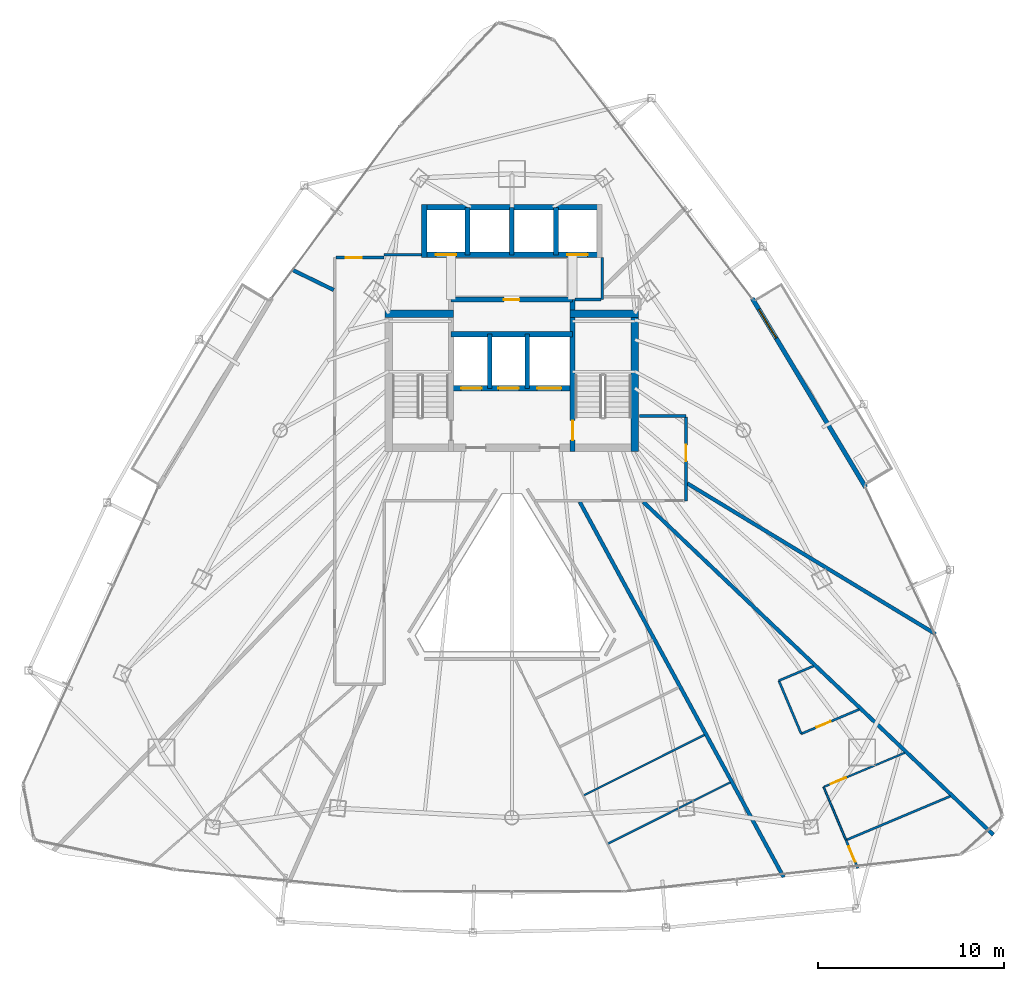
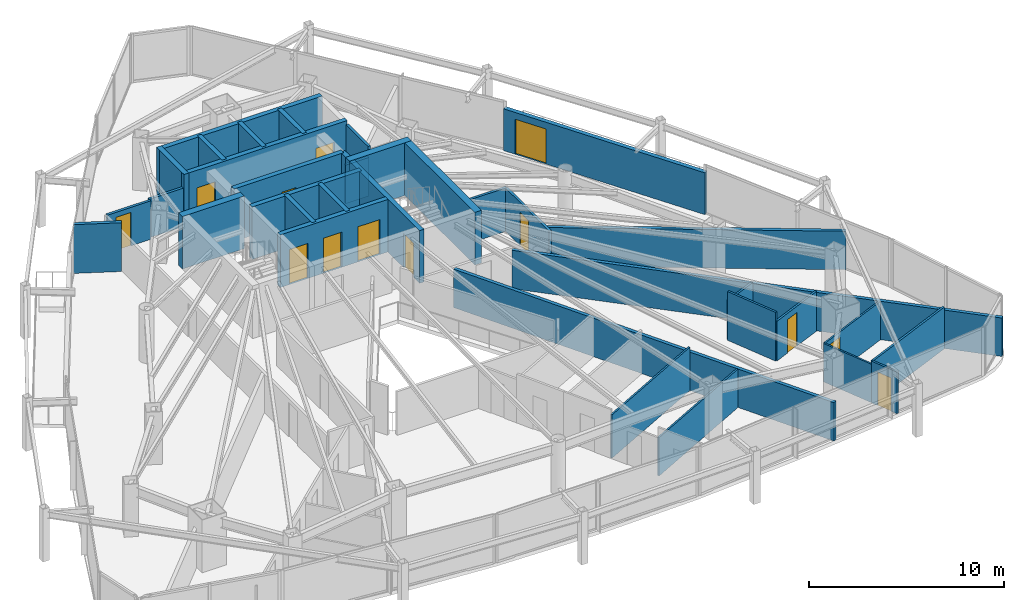
# One storey, part 27 of 31: 35 walls, 13 doors, 13 openings.
"""IFC4 building model written with IfcOpenShell, lengths in metres."""

from ifc_helpers import new_model, si_unit, direction, frame, frame_2d, origin, place, context, subcontext, project, spatial, rectangle, extrude, material, layer, layer_set, type_object, element, fill, save


model = new_model("IFC4")

# Units and contexts
model_context = context("Model", 3, precision=1e-05, world=origin(), true_north=direction((0.0, 1.0)))
body_context = subcontext(model_context, "Body", "Model", "MODEL_VIEW")
ifc_project = project(units=[si_unit("LENGTHUNIT", "METRE"), si_unit("AREAUNIT", "SQUARE_METRE"), si_unit("VOLUMEUNIT", "CUBIC_METRE"), si_unit("PLANEANGLEUNIT", "RADIAN"), si_unit("MASSUNIT", "GRAM", prefix="KILO")], contexts=[model_context])

# Site, building, storey
site_placement = place(None, origin())
site = spatial("IfcSite", under=ifc_project, at=site_placement, CompositionType="ELEMENT")
building_placement = place(site_placement, origin())
building = spatial("IfcBuilding", under=site, at=building_placement, Name="Orvanel Arch Residences", CompositionType="ELEMENT")
storey_placement = place(building_placement, frame((0.0, 0.0, 110.0)))
storey = spatial("IfcBuildingStorey", under=building, at=storey_placement, Name="L30", CompositionType="ELEMENT", Elevation=110.0)

# Wall, opening, door
ifc_material_1 = material(Name="Precast concrete N50 (50 MPa)", Category="concrete")
ifc_layer_1 = layer(ifc_material_1, 0.239990234375)
ifc_layer_set_1 = layer_set([ifc_layer_1], Name="Precast concrete N50 (50 MPa)")
wall_type_1 = type_object("IfcWallType", Name="EW-BAL-240", PredefinedType="SOLIDWALL", material=ifc_layer_set_1)
wall_1_placement = place(storey_placement, frame((51.9970703125, 24.56103515625, 0.0), z_axis=(0.0, 0.0, 1.0), x_axis=(-0.514362369366, 0.857572943242, 0.0)))
wall_1 = element("IfcWall", 1, at=wall_1_placement, inside=storey, type_object=wall_type_1, Name="L30 Balcony Threshold Wall Face 3", PredefinedType="SOLIDWALL", context=body_context, shape_type="SweptSolid", body=[
    extrude(rectangle(XDim=11.84375, YDim=0.239990234375, at=frame_2d((5.921875, 0.0))), origin(), (0.0, 0.0, 1.0), 2.6240234375),
])
opening_1_placement = place(wall_1_placement, frame((9.345947265625, 0.0, 0.0)))
opening_1 = element("IfcOpeningElement", 2, at=opening_1_placement, cuts=wall_1, Name="Opening DB-180", PredefinedType="OPENING", context=body_context, shape_type="SweptSolid", body=[
    extrude(rectangle(XDim=1.800048828125, YDim=2.199951171875, at=frame_2d((0.89990234375, 1.10009765625))), frame((0.0, 0.1298828125, 0.0), z_axis=(0.0, -1.0, 0.0), x_axis=(1.0, 0.0, 0.0)), (0.0, 0.0, 1.0), 0.260009765625),
])
ifc_material_2 = material(Name="Bronze-anodised aluminium AA6063-T6", Category="aluminium")
door_type_1 = type_object("IfcDoorType", Name="DR-BAL-1800", OperationType="NOTDEFINED", PredefinedType="DOOR", material=ifc_material_2)
door_1_placement = place(opening_1_placement, origin())
door_1 = element("IfcDoor", 3, at=door_1_placement, inside=storey, type_object=door_type_1, Name="DR-L30-BAL-F3 L30 Planted Balcony Access Door Face 3", OperationType="SINGLE_SWING_LEFT", OverallHeight=2.199951171875, OverallWidth=1.800048828125, PredefinedType="DOOR", context=body_context, shape_type="SweptSolid", body=[
    extrude(rectangle(XDim=1.800048828125, YDim=2.199951171875, at=frame_2d((0.89990234375, 1.10009765625))), frame((0.0, 0.02490234375, 0.0), z_axis=(0.0, -1.0, 0.0), x_axis=(1.0, 0.0, 0.0)), (0.0, 0.0, 1.0), 0.050048828125),
])
fill(opening_1, door_1)

# Walls
ifc_material_3 = material(Name="Concrete N50 (50 MPa)", Category="concrete")
ifc_layer_2 = layer(ifc_material_3, 0.25)
ifc_layer_set_2 = layer_set([ifc_layer_2], Name="Concrete N50 (50 MPa)")
wall_type_2 = type_object("IfcWallType", Name="SW-CORE-250", PredefinedType="SHEAR", material=ifc_layer_set_2)
for number, where, z_axis, x_axis, name in (
    (4, (31.824951171875, 29.889892578125, 0.0), (0.0, 0.0, 1.0), (0.0, 1.0, 0.0), "L30 Emergency Lift Inter-Shaft Wall F12"),
    (5, (33.824951171875, 29.889892578125, 0.0), (0.0, 0.0, 1.0), (0.0, 1.0, 0.0), "L30 Emergency Lift Inter-Shaft Wall F2G"),
):
    element("IfcWall", number, at=place(storey_placement, frame(where, z_axis=z_axis, x_axis=x_axis)), inside=storey, type_object=wall_type_2, Name=name, PredefinedType="SHEAR", context=body_context, shape_type="SweptSolid", body=[
        extrude(rectangle(XDim=2.900146484375, YDim=0.25, at=frame_2d((1.4501953125, 0.0))), origin(), (0.0, 0.0, 1.0), 3.300048828125),
    ])
for number, where, z_axis, x_axis, name in (
    (6, (30.625, 37.050048828125, 0.0), (0.0, 0.0, 1.0), (0.0, 1.0, 0.0), "L30 Passenger Lift Inter-Shaft Wall P35"),
    (7, (33.0, 37.050048828125, 0.0), (0.0, 0.0, 1.0), (0.0, 1.0, 0.0), "L30 Passenger Lift Inter-Shaft Wall P56"),
    (8, (35.375, 37.050048828125, 0.0), (0.0, 0.0, 1.0), (0.0, 1.0, 0.0), "L30 Passenger Lift Inter-Shaft Wall P64"),
):
    element("IfcWall", number, at=place(storey_placement, frame(where, z_axis=z_axis, x_axis=x_axis)), inside=storey, type_object=wall_type_2, Name=name, PredefinedType="SHEAR", context=body_context, shape_type="SweptSolid", body=[
        extrude(rectangle(XDim=2.550048828125, YDim=0.25, at=frame_2d((1.27490234375, 0.0))), origin(), (0.0, 0.0, 1.0), 3.300048828125),
    ])

# Wall, opening, door
ifc_material_4 = material(Name="Concrete S65 (65 MPa)", Category="concrete")
ifc_layer_3 = layer(ifc_material_4, 0.280029296875)
ifc_layer_set_3 = layer_set([ifc_layer_3], Name="Concrete S65 (65 MPa)")
wall_type_3 = type_object("IfcWallType", Name="SW-CORE-280", PredefinedType="SHEAR", material=ifc_layer_set_3)
wall_2_placement = place(storey_placement, frame((36.260009765625, 26.5, 0.0), z_axis=(0.0, 0.0, 1.0), x_axis=(0.0, 1.0, 0.0)))
wall_2 = element("IfcWall", 9, at=wall_2_placement, inside=storey, type_object=wall_type_3, Name="L30 East Inner Core Spine Shear Wall", PredefinedType="SHEAR", context=body_context, shape_type="SweptSolid", body=[
    extrude(rectangle(XDim=8.14990234375, YDim=0.280029296875, at=frame_2d((4.074951171875, 0.0))), origin(), (0.0, 0.0, 1.0), 3.300048828125),
])
opening_2_placement = place(wall_2_placement, frame((0.60009765625, 0.0, 0.0)))
opening_2 = element("IfcOpeningElement", 10, at=opening_2_placement, cuts=wall_2, Name="Opening DF-120", PredefinedType="OPENING", context=body_context, shape_type="SweptSolid", body=[
    extrude(rectangle(XDim=1.050048828125, YDim=2.14990234375, at=frame_2d((0.52490234375, 1.074951171875))), frame((0.0, 0.14990234375, 0.0), z_axis=(0.0, -1.0, 0.0), x_axis=(1.0, 0.0, 0.0)), (0.0, 0.0, 1.0), 0.300048828125),
])
ifc_material_5 = material(Name="Galvanised steel fire-resisting door assembly", Category="steel")
door_type_2 = type_object("IfcDoorType", Name="DR-FD120-1050", OperationType="NOTDEFINED", PredefinedType="DOOR", material=ifc_material_5)
door_2_placement = place(opening_2_placement, origin())
door_2 = element("IfcDoor", 11, at=door_2_placement, inside=storey, type_object=door_type_2, Name="DR-L30-ST2 L30 Stair 2 Fire Door", OperationType="SINGLE_SWING_RIGHT", OverallHeight=2.14990234375, OverallWidth=1.050048828125, PredefinedType="DOOR", context=body_context, shape_type="SweptSolid", body=[
    extrude(rectangle(XDim=1.050048828125, YDim=2.14990234375, at=frame_2d((0.52490234375, 1.074951171875))), frame((0.0, 0.02490234375, 0.0), z_axis=(0.0, -1.0, 0.0), x_axis=(1.0, 0.0, 0.0)), (0.0, 0.0, 1.0), 0.050048828125),
])
fill(opening_2, door_2)

# Wall, openings, doors
wall_3_placement = place(storey_placement, frame((36.260009765625, 29.889892578125, 0.0), z_axis=(0.0, 0.0, 1.0), x_axis=(-1.0, 0.0, 0.0)))
wall_3 = element("IfcWall", 12, at=wall_3_placement, inside=storey, type_object=wall_type_3, Name="L30 Emergency Lift Front Core Shear Wall", PredefinedType="SHEAR", context=body_context, shape_type="SweptSolid", body=[
    extrude(rectangle(XDim=6.52001953125, YDim=0.280029296875, at=frame_2d((3.260009765625, 0.0))), origin(), (0.0, 0.0, 1.0), 3.300048828125),
])
opening_3_placement = place(wall_3_placement, frame((4.875, 0.0, 0.0)))
opening_3 = element("IfcOpeningElement", 13, at=opening_3_placement, cuts=wall_3, Name="Opening LD-110", PredefinedType="OPENING", context=body_context, shape_type="SweptSolid", body=[
    extrude(rectangle(XDim=1.10009765625, YDim=2.199951171875, at=frame_2d((0.550048828125, 1.10009765625))), frame((0.0, 0.14990234375, 0.0), z_axis=(0.0, -1.0, 0.0), x_axis=(1.0, 0.0, 0.0)), (0.0, 0.0, 1.0), 0.300048828125),
])
opening_4_placement = place(wall_3_placement, frame((2.875, 0.0, 0.0)))
opening_4 = element("IfcOpeningElement", 14, at=opening_4_placement, cuts=wall_3, Name="Opening LD-110", PredefinedType="OPENING", context=body_context, shape_type="SweptSolid", body=[
    extrude(rectangle(XDim=1.10009765625, YDim=2.199951171875, at=frame_2d((0.550048828125, 1.10009765625))), frame((0.0, 0.14990234375, 0.0), z_axis=(0.0, -1.0, 0.0), x_axis=(1.0, 0.0, 0.0)), (0.0, 0.0, 1.0), 0.300048828125),
])
opening_5_placement = place(wall_3_placement, frame((0.60009765625, 0.0, 0.0)))
opening_5 = element("IfcOpeningElement", 15, at=opening_5_placement, cuts=wall_3, Name="Opening LD-130", PredefinedType="OPENING", context=body_context, shape_type="SweptSolid", body=[
    extrude(rectangle(XDim=1.300048828125, YDim=2.199951171875, at=frame_2d((0.64990234375, 1.10009765625))), frame((0.0, 0.14990234375, 0.0), z_axis=(0.0, -1.0, 0.0), x_axis=(1.0, 0.0, 0.0)), (0.0, 0.0, 1.0), 0.300048828125),
])
door_type_3 = type_object("IfcDoorType", Name="DR-LFT-1100", OperationType="NOTDEFINED", PredefinedType="DOOR", material=ifc_material_5)
door_3_placement = place(opening_3_placement, origin())
door_3 = element("IfcDoor", 16, at=door_3_placement, inside=storey, type_object=door_type_3, Name="LD-F1-L30 L30 Lift F1 Sliding Landing Door", OperationType="DOUBLE_DOOR_SLIDING", OverallHeight=2.199951171875, OverallWidth=1.10009765625, PredefinedType="DOOR", context=body_context, shape_type="SweptSolid", body=[
    extrude(rectangle(XDim=1.10009765625, YDim=2.199951171875, at=frame_2d((0.550048828125, 1.10009765625))), frame((0.0, 0.02490234375, 0.0), z_axis=(0.0, -1.0, 0.0), x_axis=(1.0, 0.0, 0.0)), (0.0, 0.0, 1.0), 0.050048828125),
])
fill(opening_3, door_3)
door_4_placement = place(opening_4_placement, origin())
door_4 = element("IfcDoor", 17, at=door_4_placement, inside=storey, type_object=door_type_3, Name="LD-F2-L30 L30 Lift F2 Sliding Landing Door", OperationType="DOUBLE_DOOR_SLIDING", OverallHeight=2.199951171875, OverallWidth=1.10009765625, PredefinedType="DOOR", context=body_context, shape_type="SweptSolid", body=[
    extrude(rectangle(XDim=1.10009765625, YDim=2.199951171875, at=frame_2d((0.550048828125, 1.10009765625))), frame((0.0, 0.02490234375, 0.0), z_axis=(0.0, -1.0, 0.0), x_axis=(1.0, 0.0, 0.0)), (0.0, 0.0, 1.0), 0.050048828125),
])
fill(opening_4, door_4)
door_type_4 = type_object("IfcDoorType", Name="DR-LFT-1300", OperationType="NOTDEFINED", PredefinedType="DOOR", material=ifc_material_5)
door_5_placement = place(opening_5_placement, origin())
door_5 = element("IfcDoor", 18, at=door_5_placement, inside=storey, type_object=door_type_4, Name="LD-G1-L30 L30 Lift G1 Sliding Landing Door", OperationType="DOUBLE_DOOR_SLIDING", OverallHeight=2.199951171875, OverallWidth=1.300048828125, PredefinedType="DOOR", context=body_context, shape_type="SweptSolid", body=[
    extrude(rectangle(XDim=1.300048828125, YDim=2.199951171875, at=frame_2d((0.64990234375, 1.10009765625))), frame((0.0, 0.02490234375, 0.0), z_axis=(0.0, -1.0, 0.0), x_axis=(1.0, 0.0, 0.0)), (0.0, 0.0, 1.0), 0.050048828125),
])
fill(opening_5, door_5)

# Wall
wall_4_placement = place(storey_placement, frame((29.739990234375, 32.7900390625, 0.0), z_axis=(0.0, 0.0, 1.0), x_axis=(1.0, 0.0, 0.0)))
element("IfcWall", 19, at=wall_4_placement, inside=storey, type_object=wall_type_3, Name="L30 Emergency Lift Back Core Shear Wall", PredefinedType="SHEAR", context=body_context, shape_type="SweptSolid", body=[
    extrude(rectangle(XDim=6.52001953125, YDim=0.280029296875, at=frame_2d((3.260009765625, 0.0))), origin(), (0.0, 0.0, 1.0), 3.300048828125),
])

# Wall, opening, door
wall_5_placement = place(storey_placement, frame((29.739990234375, 34.64990234375, 0.0), z_axis=(0.0, 0.0, 1.0), x_axis=(1.0, 0.0, 0.0)))
wall_5 = element("IfcWall", 20, at=wall_5_placement, inside=storey, type_object=wall_type_3, Name="L30 Core Service Band North Shear Wall", PredefinedType="SHEAR", context=body_context, shape_type="SweptSolid", body=[
    extrude(rectangle(XDim=6.52001953125, YDim=0.280029296875, at=frame_2d((3.260009765625, 0.0))), origin(), (0.0, 0.0, 1.0), 3.300048828125),
])
opening_6_placement = place(wall_5_placement, frame((2.840087890625, 0.0, 0.0)))
opening_6 = element("IfcOpeningElement", 21, at=opening_6_placement, cuts=wall_5, Name="Opening DS-082", PredefinedType="OPENING", context=body_context, shape_type="SweptSolid", body=[
    extrude(rectangle(XDim=0.820068359375, YDim=2.10009765625, at=frame_2d((0.41015625, 1.050048828125))), frame((0.0, 0.14990234375, 0.0), z_axis=(0.0, -1.0, 0.0), x_axis=(1.0, 0.0, 0.0)), (0.0, 0.0, 1.0), 0.300048828125),
])
door_type_5 = type_object("IfcDoorType", Name="DR-SVC-820", OperationType="NOTDEFINED", PredefinedType="DOOR", material=ifc_material_5)
door_6_placement = place(opening_6_placement, origin())
door_6 = element("IfcDoor", 22, at=door_6_placement, inside=storey, type_object=door_type_5, Name="DR-L30-CSVC-1 L30 Housekeeping Linen Store Door", OperationType="SINGLE_SWING_LEFT", OverallHeight=2.10009765625, OverallWidth=0.820068359375, PredefinedType="DOOR", context=body_context, shape_type="SweptSolid", body=[
    extrude(rectangle(XDim=0.820068359375, YDim=2.10009765625, at=frame_2d((0.41015625, 1.050048828125))), frame((0.0, 0.02490234375, 0.0), z_axis=(0.0, -1.0, 0.0), x_axis=(1.0, 0.0, 0.0)), (0.0, 0.0, 1.0), 0.050048828125),
])
fill(opening_6, door_6)

# Wall, openings, doors
wall_6_placement = place(storey_placement, frame((37.840087890625, 37.050048828125, 0.0), z_axis=(0.0, 0.0, 1.0), x_axis=(-1.0, 0.0, 0.0)))
wall_6 = element("IfcWall", 23, at=wall_6_placement, inside=storey, type_object=wall_type_3, Name="L30 Passenger Lift Bank Front Shear Wall", PredefinedType="SHEAR", context=body_context, shape_type="SweptSolid", body=[
    extrude(rectangle(XDim=9.68017578125, YDim=0.280029296875, at=frame_2d((4.840087890625, 0.0))), origin(), (0.0, 0.0, 1.0), 3.300048828125),
])
opening_7_placement = place(wall_6_placement, frame((7.81494140625, 0.0, 0.0)))
opening_7 = element("IfcOpeningElement", 24, at=opening_7_placement, cuts=wall_6, Name="Opening LD-110", PredefinedType="OPENING", context=body_context, shape_type="SweptSolid", body=[
    extrude(rectangle(XDim=1.10009765625, YDim=2.199951171875, at=frame_2d((0.550048828125, 1.10009765625))), frame((0.0, 0.14990234375, 0.0), z_axis=(0.0, -1.0, 0.0), x_axis=(1.0, 0.0, 0.0)), (0.0, 0.0, 1.0), 0.300048828125),
])
opening_8_placement = place(wall_6_placement, frame((0.764892578125, 0.0, 0.0)))
opening_8 = element("IfcOpeningElement", 25, at=opening_8_placement, cuts=wall_6, Name="Opening LD-110", PredefinedType="OPENING", context=body_context, shape_type="SweptSolid", body=[
    extrude(rectangle(XDim=1.10009765625, YDim=2.199951171875, at=frame_2d((0.550048828125, 1.10009765625))), frame((0.0, 0.14990234375, 0.0), z_axis=(0.0, -1.0, 0.0), x_axis=(1.0, 0.0, 0.0)), (0.0, 0.0, 1.0), 0.300048828125),
])
door_7_placement = place(opening_7_placement, origin())
door_7 = element("IfcDoor", 26, at=door_7_placement, inside=storey, type_object=door_type_3, Name="LD-P3-L30 L30 Passenger Lift P3 Sliding Landing Door", OperationType="DOUBLE_DOOR_SLIDING", OverallHeight=2.199951171875, OverallWidth=1.10009765625, PredefinedType="DOOR", context=body_context, shape_type="SweptSolid", body=[
    extrude(rectangle(XDim=1.10009765625, YDim=2.199951171875, at=frame_2d((0.550048828125, 1.10009765625))), frame((0.0, 0.02490234375, 0.0), z_axis=(0.0, -1.0, 0.0), x_axis=(1.0, 0.0, 0.0)), (0.0, 0.0, 1.0), 0.050048828125),
])
fill(opening_7, door_7)
door_8_placement = place(opening_8_placement, origin())
door_8 = element("IfcDoor", 27, at=door_8_placement, inside=storey, type_object=door_type_3, Name="LD-P4-L30 L30 Passenger Lift P4 Sliding Landing Door", OperationType="DOUBLE_DOOR_SLIDING", OverallHeight=2.199951171875, OverallWidth=1.10009765625, PredefinedType="DOOR", context=body_context, shape_type="SweptSolid", body=[
    extrude(rectangle(XDim=1.10009765625, YDim=2.199951171875, at=frame_2d((0.550048828125, 1.10009765625))), frame((0.0, 0.02490234375, 0.0), z_axis=(0.0, -1.0, 0.0), x_axis=(1.0, 0.0, 0.0)), (0.0, 0.0, 1.0), 0.050048828125),
])
fill(opening_8, door_8)

# Walls
wall_7_placement = place(storey_placement, frame((28.159912109375, 39.60009765625, 0.0), z_axis=(0.0, 0.0, 1.0), x_axis=(1.0, 0.0, 0.0)))
element("IfcWall", 28, at=wall_7_placement, inside=storey, type_object=wall_type_3, Name="L30 Passenger Lift Bank North Shear Wall", PredefinedType="SHEAR", context=body_context, shape_type="SweptSolid", body=[
    extrude(rectangle(XDim=9.68017578125, YDim=0.280029296875, at=frame_2d((4.840087890625, 0.0))), origin(), (0.0, 0.0, 1.0), 3.300048828125),
])
wall_8_placement = place(storey_placement, frame((28.300048828125, 36.909912109375, 0.0), z_axis=(0.0, 0.0, 1.0), x_axis=(0.0, 1.0, 0.0)))
element("IfcWall", 29, at=wall_8_placement, inside=storey, type_object=wall_type_3, Name="L30 Passenger Lift Bank West Shear Wall", PredefinedType="SHEAR", context=body_context, shape_type="SweptSolid", body=[
    extrude(rectangle(XDim=2.830078125, YDim=0.280029296875, at=frame_2d((1.4150390625, 0.0))), origin(), (0.0, 0.0, 1.0), 3.300048828125),
])
ifc_layer_4 = layer(ifc_material_4, 0.39990234375)
ifc_layer_set_4 = layer_set([ifc_layer_4], Name="Concrete S65 (65 MPa)")
wall_type_4 = type_object("IfcWallType", Name="SW-CORE-400", PredefinedType="SHEAR", material=ifc_layer_set_4)
wall_9_placement = place(storey_placement, frame((26.199951171875, 33.89990234375, 0.0), z_axis=(0.0, 0.0, 1.0), x_axis=(1.0, 0.0, 0.0)))
element("IfcWall", 30, at=wall_9_placement, inside=storey, type_object=wall_type_4, Name="L30 West Stair North Shear Wall", PredefinedType="SHEAR", context=body_context, shape_type="SweptSolid", body=[
    extrude(rectangle(XDim=3.679931640625, YDim=0.39990234375, at=frame_2d((1.83984375, 0.0))), origin(), (0.0, 0.0, 1.0), 3.300048828125),
])
wall_10_placement = place(storey_placement, frame((39.60009765625, 26.5, 0.0), z_axis=(0.0, 0.0, 1.0), x_axis=(0.0, 1.0, 0.0)))
element("IfcWall", 31, at=wall_10_placement, inside=storey, type_object=wall_type_4, Name="L30 East Stair Shear Wall", PredefinedType="SHEAR", context=body_context, shape_type="SweptSolid", body=[
    extrude(rectangle(XDim=7.60009765625, YDim=0.39990234375, at=frame_2d((3.800048828125, 0.0))), origin(), (0.0, 0.0, 1.0), 3.300048828125),
])
wall_11_placement = place(storey_placement, frame((36.1201171875, 33.89990234375, 0.0), z_axis=(0.0, 0.0, 1.0), x_axis=(1.0, 0.0, 0.0)))
element("IfcWall", 32, at=wall_11_placement, inside=storey, type_object=wall_type_4, Name="L30 East Stair North Shear Wall", PredefinedType="SHEAR", context=body_context, shape_type="SweptSolid", body=[
    extrude(rectangle(XDim=3.679931640625, YDim=0.39990234375, at=frame_2d((1.83984375, 0.0))), origin(), (0.0, 0.0, 1.0), 3.300048828125),
])
ifc_material_6 = material(Name="Fire-rated plasterboard lined steel stud partition", Category="steel")
ifc_layer_5 = layer(ifc_material_6, 0.14990234375)
ifc_layer_set_5 = layer_set([ifc_layer_5], Name="Fire-rated plasterboard lined steel stud partition")
wall_type_5 = type_object("IfcWallType", Name="W-COR-150", PredefinedType="PARTITIONING", material=ifc_layer_set_5)
wall_12_placement = place(storey_placement, frame((37.85009765625, 34.64990234375, 0.0), z_axis=(0.0, 0.0, 1.0), x_axis=(0.0, 1.0, 0.0)))
element("IfcWall", 33, at=wall_12_placement, inside=storey, type_object=wall_type_5, Name="L30 Passenger Lift Lobby East Closure Wall", PredefinedType="PARTITIONING", context=body_context, shape_type="SweptSolid", body=[
    extrude(rectangle(XDim=2.260009765625, YDim=0.14990234375, at=frame_2d((1.1298828125, 0.0))), origin(), (0.0, 0.0, 1.0), 3.06005859375),
])
wall_13_placement = place(storey_placement, frame((36.385009765625, 34.64990234375, 0.0), z_axis=(0.0, 0.0, 1.0), x_axis=(1.0, 0.0, 0.0)))
element("IfcWall", 34, at=wall_13_placement, inside=storey, type_object=wall_type_5, Name="L30 Passenger Lift Lobby South-East Wall", PredefinedType="PARTITIONING", context=body_context, shape_type="SweptSolid", body=[
    extrude(rectangle(XDim=1.405029296875, YDim=0.14990234375, at=frame_2d((0.70263671875, 0.0))), origin(), (0.0, 0.0, 1.0), 2.425048828125),
])

# Wall, opening, door
wall_14_placement = place(storey_placement, frame((23.56005859375, 36.89990234375, 0.0), z_axis=(0.0, 0.0, 1.0), x_axis=(1.0, 0.0, 0.0)))
wall_14 = element("IfcWall", 35, at=wall_14_placement, inside=storey, type_object=wall_type_5, Name="L30 Corridor Fire-Rated Partition", PredefinedType="PARTITIONING", context=body_context, shape_type="SweptSolid", body=[
    extrude(rectangle(XDim=2.58984375, YDim=0.14990234375, at=frame_2d((1.294921875, 0.0))), origin(), (0.0, 0.0, 1.0), 2.4130859375),
])
opening_9_placement = place(wall_14_placement, frame((0.514892578125, 0.0, 0.0)))
opening_9 = element("IfcOpeningElement", 36, at=opening_9_placement, cuts=wall_14, Name="Opening DI-088", PredefinedType="OPENING", context=body_context, shape_type="SweptSolid", body=[
    extrude(rectangle(XDim=0.8798828125, YDim=2.10009765625, at=frame_2d((0.43994140625, 1.050048828125))), frame((0.0, 0.0849609375, 0.0), z_axis=(0.0, -1.0, 0.0), x_axis=(1.0, 0.0, 0.0)), (0.0, 0.0, 1.0), 0.169921875),
])
ifc_material_7 = material(Name="Solid-core European oak veneer fire door leaf", Category="wood")
door_type_6 = type_object("IfcDoorType", Name="DR-INT-880", OperationType="NOTDEFINED", PredefinedType="DOOR", material=ifc_material_7)
door_9_placement = place(opening_9_placement, origin())
door_9 = element("IfcDoor", 37, at=door_9_placement, inside=storey, type_object=door_type_6, Name="DR-L30-SHRD-FB6 L30 Co-Working Study Office F Door", OperationType="SINGLE_SWING_LEFT", OverallHeight=2.10009765625, OverallWidth=0.8798828125, PredefinedType="DOOR", context=body_context, shape_type="SweptSolid", body=[
    extrude(rectangle(XDim=0.8798828125, YDim=2.10009765625, at=frame_2d((0.43994140625, 1.050048828125))), frame((0.0, 0.02490234375, 0.0), z_axis=(0.0, -1.0, 0.0), x_axis=(1.0, 0.0, 0.0)), (0.0, 0.0, 1.0), 0.050048828125),
])
fill(opening_9, door_9)

# Wall
wall_15_placement = place(storey_placement, frame((39.85009765625, 28.39990234375, 0.0), z_axis=(0.0, 0.0, 1.0), x_axis=(1.0, 0.0, 0.0)))
element("IfcWall", 38, at=wall_15_placement, inside=storey, type_object=wall_type_5, Name="L30 Corridor Fire-Rated Partition", PredefinedType="PARTITIONING", context=body_context, shape_type="SweptSolid", body=[
    extrude(rectangle(XDim=2.5, YDim=0.14990234375, at=frame_2d((1.25, 0.0))), origin(), (0.0, 0.0, 1.0), 2.720947265625),
])

# Wall, opening, door
wall_16_placement = place(storey_placement, frame((42.35009765625, 28.340087890625, 0.0), z_axis=(0.0, 0.0, 1.0), x_axis=(0.0, -1.0, 0.0)))
wall_16 = element("IfcWall", 39, at=wall_16_placement, inside=storey, type_object=wall_type_5, Name="L30 Corridor Fire-Rated Partition", PredefinedType="PARTITIONING", context=body_context, shape_type="SweptSolid", body=[
    extrude(rectangle(XDim=4.489990234375, YDim=0.14990234375, at=frame_2d((2.2451171875, 0.0))), origin(), (0.0, 0.0, 1.0), 2.720947265625),
])
opening_10_placement = place(wall_16_placement, frame((1.486083984375, 0.0, 0.0)))
opening_10 = element("IfcOpeningElement", 40, at=opening_10_placement, cuts=wall_16, Name="Opening DI-088", PredefinedType="OPENING", context=body_context, shape_type="SweptSolid", body=[
    extrude(rectangle(XDim=0.8798828125, YDim=2.10009765625, at=frame_2d((0.43994140625, 1.050048828125))), frame((0.0, 0.0849609375, 0.0), z_axis=(0.0, -1.0, 0.0), x_axis=(1.0, 0.0, 0.0)), (0.0, 0.0, 1.0), 0.169921875),
])
door_10_placement = place(opening_10_placement, origin())
door_10 = element("IfcDoor", 41, at=door_10_placement, inside=storey, type_object=door_type_6, Name="DR-L30-SHRD-FB4 L30 Co-Working Study Office D Door", OperationType="SINGLE_SWING_LEFT", OverallHeight=2.10009765625, OverallWidth=0.8798828125, PredefinedType="DOOR", context=body_context, shape_type="SweptSolid", body=[
    extrude(rectangle(XDim=0.8798828125, YDim=2.10009765625, at=frame_2d((0.43994140625, 1.050048828125))), frame((0.0, 0.02490234375, 0.0), z_axis=(0.0, -1.0, 0.0), x_axis=(1.0, 0.0, 0.0)), (0.0, 0.0, 1.0), 0.050048828125),
])
fill(opening_10, door_10)

# Walls
wall_17_placement = place(storey_placement, frame((26.14990234375, 37.050048828125, 0.0), z_axis=(0.0, 0.0, 1.0), x_axis=(1.0, 0.0, 0.0)))
element("IfcWall", 42, at=wall_17_placement, inside=storey, type_object=wall_type_5, Name="L30 Core Perimeter Partition", PredefinedType="PARTITIONING", context=body_context, shape_type="SweptSolid", body=[
    extrude(rectangle(XDim=2.0, YDim=0.14990234375, at=frame_2d((1.0, 0.0))), origin(), (0.0, 0.0, 1.0), 2.4130859375),
])
ifc_layer_6 = layer(ifc_material_6, 0.199951171875)
ifc_layer_set_6 = layer_set([ifc_layer_6], Name="Fire-rated plasterboard lined steel stud partition")
wall_type_6 = type_object("IfcWallType", Name="W-DEM-200", PredefinedType="PARTITIONING", material=ifc_layer_set_6)
wall_18_placement = place(storey_placement, frame((36.64599609375, 23.7900390625, 0.0), z_axis=(0.0, 0.0, 1.0), x_axis=(0.477391569207, -0.878690667784, 0.0)))
element("IfcWall", 43, at=wall_18_placement, inside=storey, type_object=wall_type_6, Name="L30 Inter-Tenancy Acoustic Demising Wall", PredefinedType="PARTITIONING", context=body_context, shape_type="SweptSolid", body=[
    extrude(rectangle(XDim=22.918212890625, YDim=0.199951171875, at=frame_2d((11.458984375, 0.0))), origin(), (0.0, 0.0, 1.0), 2.4130859375),
])
wall_19_placement = place(storey_placement, frame((21.215087890625, 36.248046875, 0.0), z_axis=(0.0, 0.0, 1.0), x_axis=(0.898821522371, -0.438314808012, 0.0)))
element("IfcWall", 44, at=wall_19_placement, inside=storey, type_object=wall_type_6, Name="L30 Inter-Tenancy Acoustic Demising Wall", PredefinedType="PARTITIONING", context=body_context, shape_type="SweptSolid", body=[
    extrude(rectangle(XDim=2.475341796875, YDim=0.199951171875, at=frame_2d((1.23779296875, 0.0))), origin(), (0.0, 0.0, 1.0), 3.06005859375),
])
wall_20_placement = place(storey_placement, frame((40.055908203125, 23.7900390625, 0.0), z_axis=(0.0, 0.0, 1.0), x_axis=(0.724633427165, -0.68913452695, 0.0)))
element("IfcWall", 45, at=wall_20_placement, inside=storey, type_object=wall_type_6, Name="L30 Inter-Tenancy Acoustic Demising Wall", PredefinedType="PARTITIONING", context=body_context, shape_type="SweptSolid", body=[
    extrude(rectangle(XDim=25.9208984375, YDim=0.199951171875, at=frame_2d((12.96044921875, 0.0))), origin(), (0.0, 0.0, 1.0), 2.4130859375),
])
wall_21_placement = place(storey_placement, frame((55.7529296875, 16.69189453125, 0.0), z_axis=(0.0, 0.0, 1.0), x_axis=(-0.85489976131, 0.518793213248, 0.0)))
element("IfcWall", 46, at=wall_21_placement, inside=storey, type_object=wall_type_6, Name="L30 Inter-Tenancy Acoustic Demising Wall", PredefinedType="PARTITIONING", context=body_context, shape_type="SweptSolid", body=[
    extrude(rectangle(XDim=15.607666015625, YDim=0.199951171875, at=frame_2d((7.8037109375, 0.0))), origin(), (0.0, 0.0, 1.0), 2.4130859375),
])
ifc_material_8 = material(Name="Acoustic plasterboard lined twin-stud partition", Category="gypsum")
ifc_layer_7 = layer(ifc_material_8, 0.10009765625)
ifc_layer_set_7 = layer_set([ifc_layer_7], Name="Acoustic plasterboard lined twin-stud partition")
wall_type_7 = type_object("IfcWallType", Name="W-INT-100", PredefinedType="PARTITIONING", material=ifc_layer_set_7)
wall_22_placement = place(storey_placement, frame((38.134033203125, 5.43701171875, 0.0), z_axis=(0.0, 0.0, 1.0), x_axis=(0.894182030014, 0.447703581849, 0.0)))
element("IfcWall", 47, at=wall_22_placement, inside=storey, type_object=wall_type_7, Name="L30 Studio A Internal Partition", PredefinedType="PARTITIONING", context=body_context, shape_type="SweptSolid", body=[
    extrude(rectangle(XDim=7.373291015625, YDim=0.10009765625, at=frame_2d((3.6865234375, 0.0))), origin(), (0.0, 0.0, 1.0), 2.4130859375),
])
wall_23_placement = place(storey_placement, frame((36.8359375, 8.030029296875, 0.0), z_axis=(0.0, 0.0, 1.0), x_axis=(0.894205618721, 0.447656465884, 0.0)))
element("IfcWall", 48, at=wall_23_placement, inside=storey, type_object=wall_type_7, Name="L30 Studio A Internal Partition", PredefinedType="PARTITIONING", context=body_context, shape_type="SweptSolid", body=[
    extrude(rectangle(XDim=7.27587890625, YDim=0.10009765625, at=frame_2d((3.637939453125, 0.0))), origin(), (0.0, 0.0, 1.0), 2.720947265625),
])

# Wall, opening, door
wall_24_placement = place(storey_placement, frame((54.090087890625, 10.325927734375, 0.0), z_axis=(0.0, 0.0, 1.0), x_axis=(-0.921538100995, -0.388287945234, 0.0)))
wall_24 = element("IfcWall", 49, at=wall_24_placement, inside=storey, type_object=wall_type_7, Name="L30 Studio C Internal Partition", PredefinedType="PARTITIONING", context=body_context, shape_type="SweptSolid", body=[
    extrude(rectangle(XDim=4.725830078125, YDim=0.10009765625, at=frame_2d((2.36279296875, 0.0))), origin(), (0.0, 0.0, 1.0), 2.4130859375),
])
opening_11_placement = place(wall_24_placement, frame((3.428955078125, 0.0, 0.0)))
opening_11 = element("IfcOpeningElement", 50, at=opening_11_placement, cuts=wall_24, Name="Opening DI-088", PredefinedType="OPENING", context=body_context, shape_type="SweptSolid", body=[
    extrude(rectangle(XDim=0.8798828125, YDim=2.10009765625, at=frame_2d((0.43994140625, 1.050048828125))), frame((0.0, 0.06005859375, 0.0), z_axis=(0.0, -1.0, 0.0), x_axis=(1.0, 0.0, 0.0)), (0.0, 0.0, 1.0), 0.1201171875),
])
door_11_placement = place(opening_11_placement, origin())
door_11 = element("IfcDoor", 51, at=door_11_placement, inside=storey, type_object=door_type_6, Name="DR-L30-C-DIN1 L30 Studio C Dining Room 1 Door", OperationType="SINGLE_SWING_LEFT", OverallHeight=2.10009765625, OverallWidth=0.8798828125, PredefinedType="DOOR", context=body_context, shape_type="SweptSolid", body=[
    extrude(rectangle(XDim=0.8798828125, YDim=2.10009765625, at=frame_2d((0.43994140625, 1.050048828125))), frame((0.0, 0.02490234375, 0.0), z_axis=(0.0, -1.0, 0.0), x_axis=(1.0, 0.0, 0.0)), (0.0, 0.0, 1.0), 0.050048828125),
])
fill(opening_11, door_11)

# Walls
wall_25_placement = place(storey_placement, frame((49.735107421875, 8.490966796875, 0.0), z_axis=(0.0, 0.0, 1.0), x_axis=(0.388074634892, -0.921627949746, 0.0)))
element("IfcWall", 52, at=wall_25_placement, inside=storey, type_object=wall_type_7, Name="L30 Studio C Internal Partition", PredefinedType="PARTITIONING", context=body_context, shape_type="SweptSolid", body=[
    extrude(rectangle(XDim=3.094482421875, YDim=0.10009765625, at=frame_2d((1.54736328125, 0.0))), origin(), (0.0, 0.0, 1.0), 2.4130859375),
])
ifc_layer_8 = layer(ifc_material_8, 0.1201171875)
ifc_layer_set_8 = layer_set([ifc_layer_8], Name="Acoustic plasterboard lined twin-stud partition")
wall_type_8 = type_object("IfcWallType", Name="W-WET-120", PredefinedType="PARTITIONING", material=ifc_layer_set_8)
wall_26_placement = place(storey_placement, frame((49.195068359375, 14.98193359375, 0.0), z_axis=(0.0, 0.0, 1.0), x_axis=(-0.921624013763, -0.38808398222, 0.0)))
element("IfcWall", 53, at=wall_26_placement, inside=storey, type_object=wall_type_8, Name="L30 Studio C Bathroom Partition", PredefinedType="PARTITIONING", context=body_context, shape_type="SweptSolid", body=[
    extrude(rectangle(XDim=2.0224609375, YDim=0.1201171875, at=frame_2d((1.01123046875, 0.0))), origin(), (0.0, 0.0, 1.0), 2.491943359375),
])
wall_27_placement = place(storey_placement, frame((47.3310546875, 14.197021484375, 0.0), z_axis=(0.0, 0.0, 1.0), x_axis=(0.388229743903, -0.921562621827, 0.0)))
element("IfcWall", 54, at=wall_27_placement, inside=storey, type_object=wall_type_8, Name="L30 Studio C Bathroom Partition", PredefinedType="PARTITIONING", context=body_context, shape_type="SweptSolid", body=[
    extrude(rectangle(XDim=3.095947265625, YDim=0.1201171875, at=frame_2d((1.5478515625, 0.0))), origin(), (0.0, 0.0, 1.0), 3.06005859375),
])

# Wall, opening, door
wall_28_placement = place(storey_placement, frame((48.532958984375, 11.343994140625, 0.0), z_axis=(0.0, 0.0, 1.0), x_axis=(0.921534547548, 0.388296378653, 0.0)))
wall_28 = element("IfcWall", 55, at=wall_28_placement, inside=storey, type_object=wall_type_8, Name="L30 Studio C Bathroom Partition", PredefinedType="PARTITIONING", context=body_context, shape_type="SweptSolid", body=[
    extrude(rectangle(XDim=3.373779296875, YDim=0.1201171875, at=frame_2d((1.68701171875, 0.0))), origin(), (0.0, 0.0, 1.0), 2.491943359375),
])
opening_12_placement = place(wall_28_placement, frame((0.89404296875, 0.0, 0.0)))
opening_12 = element("IfcOpeningElement", 56, at=opening_12_placement, cuts=wall_28, Name="Opening DW-082", PredefinedType="OPENING", context=body_context, shape_type="SweptSolid", body=[
    extrude(rectangle(XDim=0.820068359375, YDim=2.10009765625, at=frame_2d((0.41015625, 1.050048828125))), frame((0.0, 0.070068359375, 0.0), z_axis=(0.0, -1.0, 0.0), x_axis=(1.0, 0.0, 0.0)), (0.0, 0.0, 1.0), 0.14013671875),
])
door_type_7 = type_object("IfcDoorType", Name="DR-WET-820", OperationType="NOTDEFINED", PredefinedType="DOOR", material=ifc_material_7)
door_12_placement = place(opening_12_placement, origin())
door_12 = element("IfcDoor", 57, at=door_12_placement, inside=storey, type_object=door_type_7, Name="DR-L30-C-BATH L30 Studio C Bathroom Door", OperationType="SINGLE_SWING_RIGHT", OverallHeight=2.10009765625, OverallWidth=0.820068359375, PredefinedType="DOOR", context=body_context, shape_type="SweptSolid", body=[
    extrude(rectangle(XDim=0.820068359375, YDim=2.10009765625, at=frame_2d((0.41015625, 1.050048828125))), frame((0.0, 0.02490234375, 0.0), z_axis=(0.0, -1.0, 0.0), x_axis=(1.0, 0.0, 0.0)), (0.0, 0.0, 1.0), 0.050048828125),
])
fill(opening_12, door_12)

wall_29_placement = place(storey_placement, frame((50.93603515625, 5.638916015625, 0.0), z_axis=(0.0, 0.0, 1.0), x_axis=(0.3883160894, -0.92152624201, 0.0)))
wall_29 = element("IfcWall", 58, at=wall_29_placement, inside=storey, type_object=wall_type_8, Name="L30 Studio C Internal Partition", PredefinedType="PARTITIONING", context=body_context, shape_type="SweptSolid", body=[
    extrude(rectangle(XDim=1.642822265625, YDim=0.1201171875, at=frame_2d((0.8212890625, 0.0))), origin(), (0.0, 0.0, 1.0), 2.618896484375),
])
opening_13_placement = place(wall_29_placement, frame((0.381103515625, 0.0, 0.0)))
opening_13 = element("IfcOpeningElement", 59, at=opening_13_placement, cuts=wall_29, Name="Opening DI-088", PredefinedType="OPENING", context=body_context, shape_type="SweptSolid", body=[
    extrude(rectangle(XDim=0.8798828125, YDim=2.10009765625, at=frame_2d((0.43994140625, 1.050048828125))), frame((0.0, 0.070068359375, 0.0), z_axis=(0.0, -1.0, 0.0), x_axis=(1.0, 0.0, 0.0)), (0.0, 0.0, 1.0), 0.14013671875),
])
door_13_placement = place(opening_13_placement, origin())
door_13 = element("IfcDoor", 60, at=door_13_placement, inside=storey, type_object=door_type_6, Name="DR-L30-C-KIT L30 Studio C Kitchenette Door", OperationType="SINGLE_SWING_LEFT", OverallHeight=2.10009765625, OverallWidth=0.8798828125, PredefinedType="DOOR", context=body_context, shape_type="SweptSolid", body=[
    extrude(rectangle(XDim=0.8798828125, YDim=2.10009765625, at=frame_2d((0.43994140625, 1.050048828125))), frame((0.0, 0.02490234375, 0.0), z_axis=(0.0, -1.0, 0.0), x_axis=(1.0, 0.0, 0.0)), (0.0, 0.0, 1.0), 0.050048828125),
])
fill(opening_13, door_13)

# Wall
wall_30_placement = place(storey_placement, frame((50.93603515625, 5.638916015625, 0.0), z_axis=(0.0, 0.0, 1.0), x_axis=(0.921613448603, 0.388109071466, 0.0)))
element("IfcWall", 61, at=wall_30_placement, inside=storey, type_object=wall_type_8, Name="L30 Studio C Internal Partition", PredefinedType="PARTITIONING", context=body_context, shape_type="SweptSolid", body=[
    extrude(rectangle(XDim=6.07861328125, YDim=0.1201171875, at=frame_2d((3.039306640625, 0.0))), origin(), (0.0, 0.0, 1.0), 2.618896484375),
])

save(model, "model.ifc")
